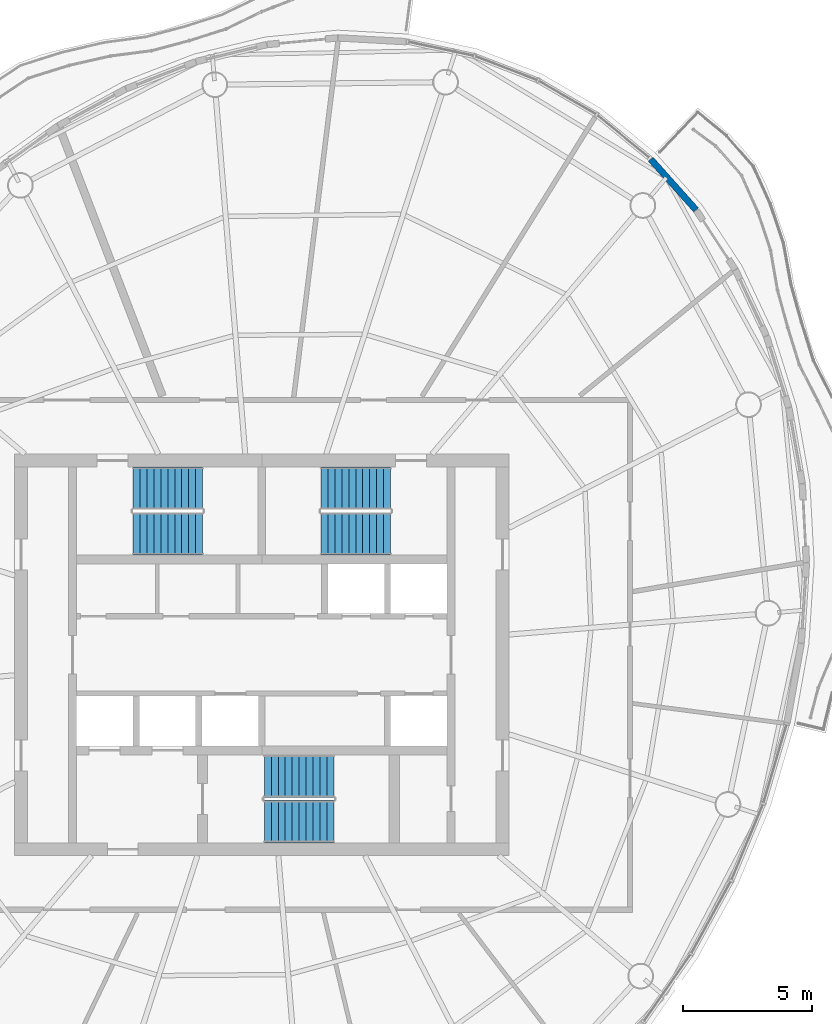
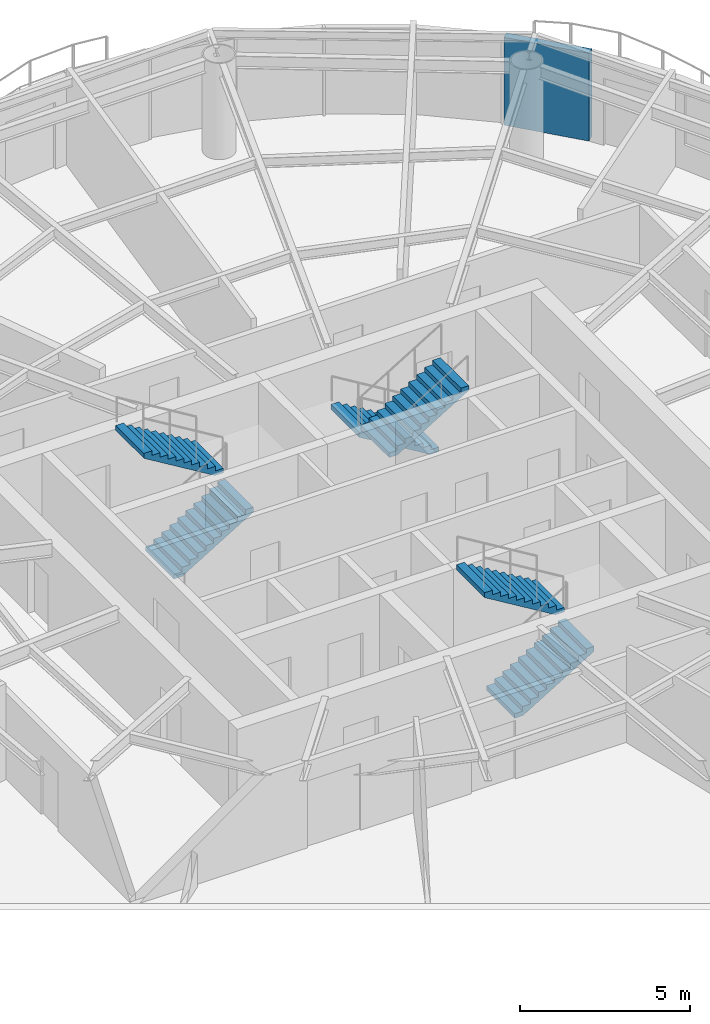
# One storey, part 10 of 13: 6 stair flights, 1 wall, 3 elements without a shape of their own.
"""IFC4 building model written with IfcOpenShell, lengths in metres."""

from ifc_helpers import new_model, si_unit, direction, frame, frame_2d, origin, place, context, subcontext, project, spatial, polyline, rectangle, outline, extrude, material, layer, layer_set, type_object, element, aggregate, save


model = new_model("IFC4")

# Units and contexts
model_context = context("Model", 3, precision=1e-05, world=origin(), true_north=direction((0.0, 1.0)))
body_context = subcontext(model_context, "Body", "Model", "MODEL_VIEW")
ifc_project = project(units=[si_unit("LENGTHUNIT", "METRE"), si_unit("AREAUNIT", "SQUARE_METRE"), si_unit("VOLUMEUNIT", "CUBIC_METRE"), si_unit("PLANEANGLEUNIT", "RADIAN"), si_unit("MASSUNIT", "GRAM", prefix="KILO")], contexts=[model_context])

# Site, building, storey
site_placement = place(None, origin())
site = spatial("IfcSite", under=ifc_project, at=site_placement, CompositionType="ELEMENT")
building_placement = place(site_placement, origin())
building = spatial("IfcBuilding", under=site, at=building_placement, Name="Vermilion Reach Broadcast Tower", CompositionType="ELEMENT")
storey_placement = place(building_placement, frame((0.0, 0.0, 290.10009765625)))
storey = spatial("IfcBuildingStorey", under=building, at=storey_placement, Name="L72", CompositionType="ELEMENT", Elevation=290.10009765625)

# Wall
ifc_material_1 = material(Name="Terracotta rainscreen cladding", Category="masonry")
ifc_layer = layer(ifc_material_1, 0.25)
ifc_layer_set = layer_set([ifc_layer], Name="Terracotta rainscreen wall 250")
wall_type = type_object("IfcWallType", Name="Terracotta rainscreen wall 250", PredefinedType="SOLIDWALL", material=ifc_layer_set)
wall_placement = place(storey_placement, frame((10.86572265625, 17.28466796875, 0.0), z_axis=(0.0, 0.0, 1.0), x_axis=(-0.666789450608, 0.745246152997, 0.0)))
element("IfcWall", 1, at=wall_placement, inside=storey, type_object=wall_type, Name="External wall L72 45", PredefinedType="SOLIDWALL", context=body_context, shape_type="SweptSolid", body=[
    extrude(rectangle(XDim=2.638916015625, YDim=0.25, at=frame_2d((1.3193359375, 0.0))), origin(), (0.0, 0.0, 1.0), 3.14990234375),
])

# Stair, stair flights
ifc_material_2 = material(Name="Concrete C40", Category="concrete")
stair_type = type_object("IfcStairType", Name="Exit stair RC 22 risers 164 mm", PredefinedType="HALF_TURN_STAIR", material=ifc_material_2)
placement = place(storey_placement, origin())
stair_1 = element("IfcStair", 2, at=placement, inside=storey, type_object=stair_type, Name="L72 Exit stair ST1", PredefinedType="HALF_TURN_STAIR")
ifc_material_3 = material(Name="Concrete C40", Category="concrete")
stair_flight_type = type_object("IfcStairFlightType", Name="Exit stair flight RC 11 risers", PredefinedType="STRAIGHT", material=ifc_material_3)
stair_flight_1_placement = place(storey_placement, frame((-11.0, 4.7099609375, 0.0), z_axis=(0.0, 0.0, 1.0), x_axis=(1.0, 0.0, 0.0)))
stair_flight_1 = element("IfcStairFlight", 3, at=stair_flight_1_placement, type_object=stair_flight_type, Name="ST1 flight 1", NumberOfRisers=11, NumberOfTreads=10, PredefinedType="STRAIGHT", RiserHeight=0.163636364, TreadLength=0.27, context=body_context, shape_type="SweptSolid", body=[
    extrude(outline(polyline([(0.0, 0.0), (0.0, 0.16357421875), (0.27001953125, 0.16357421875), (0.27001953125, 0.327392578125), (0.5400390625, 0.327392578125), (0.5400390625, 0.490966796875), (0.81005859375, 0.490966796875), (0.81005859375, 0.654541015625), (1.080078125, 0.654541015625), (1.080078125, 0.818115234375), (1.35009765625, 0.818115234375), (1.35009765625, 0.98193359375), (1.6201171875, 0.98193359375), (1.6201171875, 1.1455078125), (1.889892578125, 1.1455078125), (1.889892578125, 1.30908203125), (2.159912109375, 1.30908203125), (2.159912109375, 1.47265625), (2.429931640625, 1.47265625), (2.429931640625, 1.636474609375), (2.699951171875, 1.636474609375), (2.699951171875, 1.800048828125), (2.699951171875, 1.461181640625), (0.289306640625, 0.0), (0.0, 0.0)])), frame((0.0, 0.830078125, 0.0), z_axis=(0.0, -1.0, 0.0), x_axis=(1.0, 0.0, 0.0)), (0.0, 0.0, 1.0), 1.659912109375),
])
stair_flight_2_placement = place(storey_placement, frame((-8.300048828125, 6.469970703125, 1.7998046875), z_axis=(0.0, 0.0, 1.0), x_axis=(-1.0, 0.0, 0.0)))
stair_flight_2 = element("IfcStairFlight", 4, at=stair_flight_2_placement, type_object=stair_flight_type, Name="ST1 flight 2", NumberOfRisers=11, NumberOfTreads=10, PredefinedType="STRAIGHT", RiserHeight=0.163636364, TreadLength=0.27, context=body_context, shape_type="SweptSolid", body=[
    extrude(outline(polyline([(0.0, 0.0), (0.0, 0.16357421875), (0.27001953125, 0.16357421875), (0.27001953125, 0.327392578125), (0.5400390625, 0.327392578125), (0.5400390625, 0.490966796875), (0.81005859375, 0.490966796875), (0.81005859375, 0.654541015625), (1.080078125, 0.654541015625), (1.080078125, 0.818115234375), (1.35009765625, 0.818115234375), (1.35009765625, 0.98193359375), (1.6201171875, 0.98193359375), (1.6201171875, 1.1455078125), (1.889892578125, 1.1455078125), (1.889892578125, 1.30908203125), (2.159912109375, 1.30908203125), (2.159912109375, 1.47265625), (2.429931640625, 1.47265625), (2.429931640625, 1.636474609375), (2.699951171875, 1.636474609375), (2.699951171875, 1.800048828125), (2.699951171875, 1.461181640625), (0.289306640625, 0.0), (0.0, 0.0)])), frame((0.0, 0.830078125, 0.0), z_axis=(0.0, -1.0, 0.0), x_axis=(1.0, 0.0, 0.0)), (0.0, 0.0, 1.0), 1.659912109375),
])
aggregate(stair_1, [stair_flight_1, stair_flight_2])

stair_2 = element("IfcStair", 5, at=placement, inside=storey, type_object=stair_type, Name="L72 Exit stair ST2", PredefinedType="HALF_TURN_STAIR")
stair_flight_3_placement = place(storey_placement, frame((-1.0, 6.469970703125, 0.0), z_axis=(0.0, 0.0, 1.0), x_axis=(-1.0, 0.0, 0.0)))
stair_flight_3 = element("IfcStairFlight", 6, at=stair_flight_3_placement, type_object=stair_flight_type, Name="ST2 flight 1", NumberOfRisers=11, NumberOfTreads=10, PredefinedType="STRAIGHT", RiserHeight=0.163636364, TreadLength=0.27, context=body_context, shape_type="SweptSolid", body=[
    extrude(outline(polyline([(0.0, 0.0), (0.0, 0.16357421875), (0.27001953125, 0.16357421875), (0.27001953125, 0.327392578125), (0.5400390625, 0.327392578125), (0.5400390625, 0.490966796875), (0.81005859375, 0.490966796875), (0.81005859375, 0.654541015625), (1.080078125, 0.654541015625), (1.080078125, 0.818115234375), (1.35009765625, 0.818115234375), (1.35009765625, 0.98193359375), (1.6201171875, 0.98193359375), (1.6201171875, 1.1455078125), (1.889892578125, 1.1455078125), (1.889892578125, 1.30908203125), (2.159912109375, 1.30908203125), (2.159912109375, 1.47265625), (2.429931640625, 1.47265625), (2.429931640625, 1.636474609375), (2.699951171875, 1.636474609375), (2.699951171875, 1.800048828125), (2.699951171875, 1.461181640625), (0.289306640625, 0.0), (0.0, 0.0)])), frame((0.0, 0.830078125, 0.0), z_axis=(0.0, -1.0, 0.0), x_axis=(1.0, 0.0, 0.0)), (0.0, 0.0, 1.0), 1.659912109375),
])
stair_flight_4_placement = place(storey_placement, frame((-3.699951171875, 4.7099609375, 1.7998046875), z_axis=(0.0, 0.0, 1.0), x_axis=(1.0, 0.0, 0.0)))
stair_flight_4 = element("IfcStairFlight", 7, at=stair_flight_4_placement, type_object=stair_flight_type, Name="ST2 flight 2", NumberOfRisers=11, NumberOfTreads=10, PredefinedType="STRAIGHT", RiserHeight=0.163636364, TreadLength=0.27, context=body_context, shape_type="SweptSolid", body=[
    extrude(outline(polyline([(0.0, 0.0), (0.0, 0.16357421875), (0.27001953125, 0.16357421875), (0.27001953125, 0.327392578125), (0.5400390625, 0.327392578125), (0.5400390625, 0.490966796875), (0.81005859375, 0.490966796875), (0.81005859375, 0.654541015625), (1.080078125, 0.654541015625), (1.080078125, 0.818115234375), (1.35009765625, 0.818115234375), (1.35009765625, 0.98193359375), (1.6201171875, 0.98193359375), (1.6201171875, 1.1455078125), (1.889892578125, 1.1455078125), (1.889892578125, 1.30908203125), (2.159912109375, 1.30908203125), (2.159912109375, 1.47265625), (2.429931640625, 1.47265625), (2.429931640625, 1.636474609375), (2.699951171875, 1.636474609375), (2.699951171875, 1.800048828125), (2.699951171875, 1.461181640625), (0.289306640625, 0.0), (0.0, 0.0)])), frame((0.0, 0.830078125, 0.0), z_axis=(0.0, -1.0, 0.0), x_axis=(1.0, 0.0, 0.0)), (0.0, 0.0, 1.0), 1.659912109375),
])
aggregate(stair_2, [stair_flight_3, stair_flight_4])

stair_3 = element("IfcStair", 8, at=placement, inside=storey, type_object=stair_type, Name="L72 Exit stair ST3", PredefinedType="HALF_TURN_STAIR")
stair_flight_5_placement = place(storey_placement, frame((-5.89990234375, -6.469970703125, 0.0), z_axis=(0.0, 0.0, 1.0), x_axis=(1.0, 0.0, 0.0)))
stair_flight_5 = element("IfcStairFlight", 9, at=stair_flight_5_placement, type_object=stair_flight_type, Name="ST3 flight 1", NumberOfRisers=11, NumberOfTreads=10, PredefinedType="STRAIGHT", RiserHeight=0.163636364, TreadLength=0.27, context=body_context, shape_type="SweptSolid", body=[
    extrude(outline(polyline([(0.0, 0.0), (0.0, 0.16357421875), (0.27001953125, 0.16357421875), (0.27001953125, 0.327392578125), (0.5400390625, 0.327392578125), (0.5400390625, 0.490966796875), (0.81005859375, 0.490966796875), (0.81005859375, 0.654541015625), (1.080078125, 0.654541015625), (1.080078125, 0.818115234375), (1.35009765625, 0.818115234375), (1.35009765625, 0.98193359375), (1.6201171875, 0.98193359375), (1.6201171875, 1.1455078125), (1.889892578125, 1.1455078125), (1.889892578125, 1.30908203125), (2.159912109375, 1.30908203125), (2.159912109375, 1.47265625), (2.429931640625, 1.47265625), (2.429931640625, 1.636474609375), (2.699951171875, 1.636474609375), (2.699951171875, 1.800048828125), (2.699951171875, 1.461181640625), (0.289306640625, 0.0), (0.0, 0.0)])), frame((0.0, 0.830078125, 0.0), z_axis=(0.0, -1.0, 0.0), x_axis=(1.0, 0.0, 0.0)), (0.0, 0.0, 1.0), 1.659912109375),
])
stair_flight_6_placement = place(storey_placement, frame((-3.199951171875, -4.7099609375, 1.7998046875), z_axis=(0.0, 0.0, 1.0), x_axis=(-1.0, 0.0, 0.0)))
stair_flight_6 = element("IfcStairFlight", 10, at=stair_flight_6_placement, type_object=stair_flight_type, Name="ST3 flight 2", NumberOfRisers=11, NumberOfTreads=10, PredefinedType="STRAIGHT", RiserHeight=0.163636364, TreadLength=0.27, context=body_context, shape_type="SweptSolid", body=[
    extrude(outline(polyline([(0.0, 0.0), (0.0, 0.16357421875), (0.27001953125, 0.16357421875), (0.27001953125, 0.327392578125), (0.5400390625, 0.327392578125), (0.5400390625, 0.490966796875), (0.81005859375, 0.490966796875), (0.81005859375, 0.654541015625), (1.080078125, 0.654541015625), (1.080078125, 0.818115234375), (1.35009765625, 0.818115234375), (1.35009765625, 0.98193359375), (1.6201171875, 0.98193359375), (1.6201171875, 1.1455078125), (1.889892578125, 1.1455078125), (1.889892578125, 1.30908203125), (2.159912109375, 1.30908203125), (2.159912109375, 1.47265625), (2.429931640625, 1.47265625), (2.429931640625, 1.636474609375), (2.699951171875, 1.636474609375), (2.699951171875, 1.800048828125), (2.699951171875, 1.461181640625), (0.289306640625, 0.0), (0.0, 0.0)])), frame((0.0, 0.830078125, 0.0), z_axis=(0.0, -1.0, 0.0), x_axis=(1.0, 0.0, 0.0)), (0.0, 0.0, 1.0), 1.659912109375),
])
aggregate(stair_3, [stair_flight_5, stair_flight_6])

save(model, "model.ifc")
